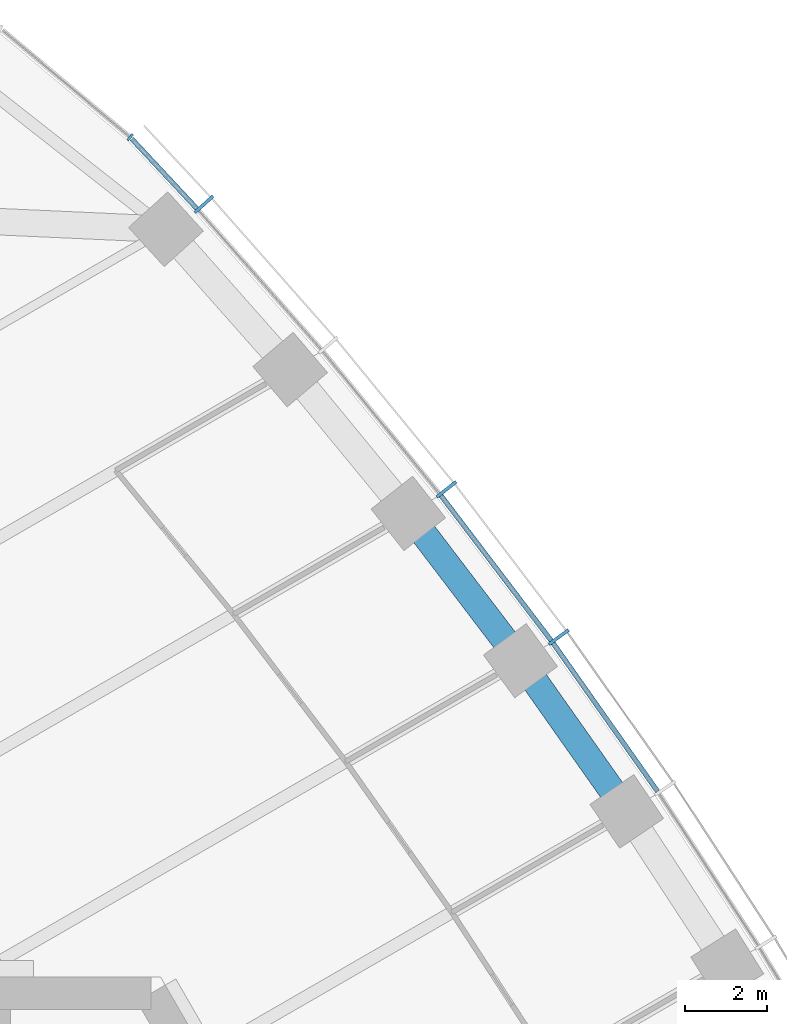
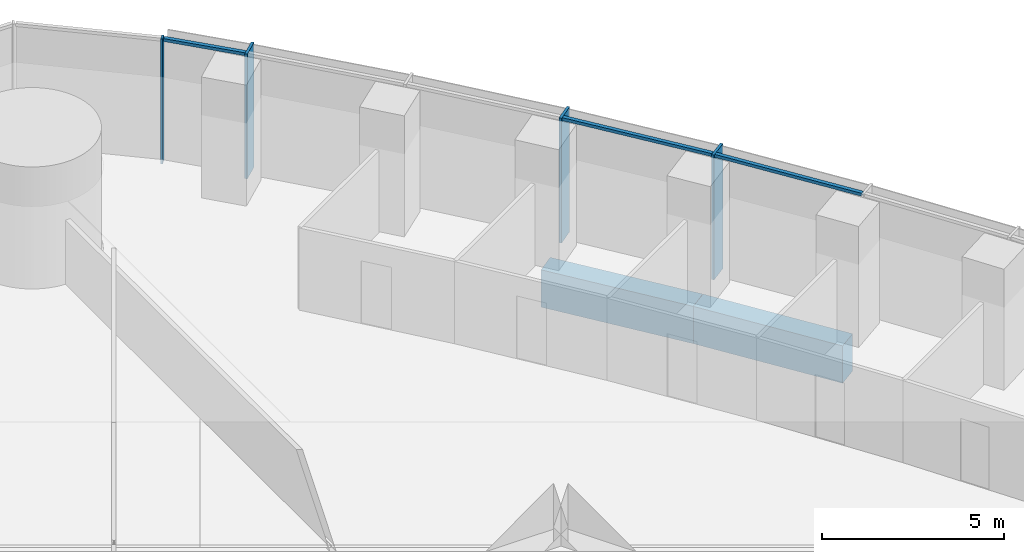
# One storey, part 7 of 19: 7 members, 2 beams, 2 elements without a shape of their own.
"""IFC4 building model written with IfcOpenShell, lengths in metres."""

from ifc_helpers import new_model, si_unit, direction, frame, origin, origin_2d, place, context, subcontext, project, spatial, rectangle, extrude, material, material_profile, profile_set, type_object, element, aggregate, save


model = new_model("IFC4")

# Units and contexts
model_context = context("Model", 3, precision=1e-05, world=origin(), true_north=direction((0.0, 1.0)))
body_context = subcontext(model_context, "Body", "Model", "MODEL_VIEW")
ifc_project = project(units=[si_unit("LENGTHUNIT", "METRE"), si_unit("AREAUNIT", "SQUARE_METRE"), si_unit("VOLUMEUNIT", "CUBIC_METRE"), si_unit("PLANEANGLEUNIT", "RADIAN"), si_unit("MASSUNIT", "GRAM", prefix="KILO")], contexts=[model_context])

# Site, building, storey
site_placement = place(None, origin())
site = spatial("IfcSite", under=ifc_project, at=site_placement, CompositionType="ELEMENT")
building_placement = place(site_placement, origin())
building = spatial("IfcBuilding", under=site, at=building_placement, Name="Trefoil Bronze Tower", CompositionType="ELEMENT")
storey_placement = place(building_placement, frame((0.0, 0.0, 136.699951171875)))
storey = spatial("IfcBuildingStorey", under=building, at=storey_placement, Name="L31", CompositionType="ELEMENT", Elevation=136.699951171875)

# Curtain wall, members
ifc_material_1 = material(Name="Tinted solar-control glass", Category="glass")
curtain_wall_type_1 = type_object("IfcCurtainWallType", Name="Bronze office curtain wall", PredefinedType="USERDEFINED", material=ifc_material_1)
curtain_wall_1_placement = place(storey_placement, origin())
curtain_wall_1 = element("IfcCurtainWall", 1, at=curtain_wall_1_placement, inside=storey, type_object=curtain_wall_type_1, Name="CW-A L31 F2", ObjectType="CURTAIN WALL", PredefinedType="USERDEFINED")
ifc_material_2 = material(Name="Bronze-finish aluminium", Category="aluminium")
ifc_material_profile_1 = material_profile(ifc_material_2, rectangle(XDim=0.60009765625, YDim=0.080078125, at=origin_2d()), Name="CW-A mullion")
ifc_profile_set_1 = profile_set([ifc_material_profile_1], Name="Bronze-finish aluminium")
member_type_1 = type_object("IfcMemberType", Name="Bronze office curtain wall mullion", PredefinedType="MULLION", material=ifc_profile_set_1)
member_1_placement = place(storey_placement, frame((15.764404296875, 24.7275390625, 0.0), z_axis=(0.0, 0.0, 1.0), x_axis=(-0.806874522901, -0.590722865897, 0.0)))
member_1 = element("IfcMember", 2, at=member_1_placement, type_object=member_type_1, Name="CW-A L31 F2 mullion 11", PredefinedType="MULLION", context=body_context, shape_type="SweptSolid", body=[
    extrude(rectangle(XDim=0.60009765625, YDim=0.080078125, at=origin_2d()), origin(), (0.0, 0.0, 1.0), 4.179931640625),
])
member_2_placement = place(storey_placement, frame((13.01220703125, 28.34716796875, 0.0), z_axis=(0.0, 0.0, 1.0), x_axis=(-0.78487913905, -0.619648882098, 0.0)))
member_2 = element("IfcMember", 3, at=member_2_placement, type_object=member_type_1, Name="CW-A L31 F2 mullion 12", PredefinedType="MULLION", context=body_context, shape_type="SweptSolid", body=[
    extrude(rectangle(XDim=0.60009765625, YDim=0.080078125, at=origin_2d()), origin(), (0.0, 0.0, 1.0), 4.179931640625),
])
member_3_placement = place(storey_placement, frame((7.070068359375, 35.332275390625, 0.0), z_axis=(0.0, 0.0, 1.0), x_axis=(-0.740360700327, -0.672209813534, 0.0)))
member_3 = element("IfcMember", 4, at=member_3_placement, type_object=member_type_1, Name="CW-A L31 F2 mullion 14", PredefinedType="MULLION", context=body_context, shape_type="SweptSolid", body=[
    extrude(rectangle(XDim=0.60009765625, YDim=0.080078125, at=origin_2d()), origin(), (0.0, 0.0, 1.0), 4.179931640625),
])
ifc_material_3 = material(Name="Bronze-finish aluminium", Category="aluminium")
ifc_material_profile_2 = material_profile(ifc_material_3, rectangle(XDim=0.1201171875, YDim=0.10009765625, at=origin_2d()), Name="CW-A transom")
ifc_profile_set_2 = profile_set([ifc_material_profile_2], Name="Bronze-finish aluminium")
member_type_2 = type_object("IfcMemberType", Name="Bronze office curtain wall transom", PredefinedType="USERDEFINED", material=ifc_profile_set_2)
member_4_placement = place(storey_placement, frame((18.18359375, 20.947021484375, 4.130126953125), z_axis=(-0.576017858824, 0.817437108478, 0.0), x_axis=(-0.817437108478, -0.576017858824, 0.0)))
member_4 = element("IfcMember", 5, at=member_4_placement, type_object=member_type_2, Name="CW-A L31 F2 transom 10", ObjectType="TRANSOM", PredefinedType="USERDEFINED", context=body_context, shape_type="SweptSolid", body=[
    extrude(rectangle(XDim=0.1201171875, YDim=0.10009765625, at=origin_2d()), origin(), (0.0, 0.0, 1.0), 4.4384765625),
])
member_5_placement = place(storey_placement, frame((15.57763671875, 24.642578125, 4.130126953125), z_axis=(-0.605229114572, 0.796051329296, 0.0), x_axis=(-0.796051329296, -0.605229114572, 0.0)))
member_5 = element("IfcMember", 6, at=member_5_placement, type_object=member_type_2, Name="CW-A L31 F2 transom 11", ObjectType="TRANSOM", PredefinedType="USERDEFINED", context=body_context, shape_type="SweptSolid", body=[
    extrude(rectangle(XDim=0.1201171875, YDim=0.10009765625, at=origin_2d()), origin(), (0.0, 0.0, 1.0), 4.456298828125),
])
member_6_placement = place(storey_placement, frame((6.893798828125, 35.22802734375, 4.130126953125), z_axis=(-0.682489214428, 0.730895664366, 0.0), x_axis=(-0.730895664366, -0.682489214428, 0.0)))
member_6 = element("IfcMember", 7, at=member_6_placement, type_object=member_type_2, Name="CW-A L31 F2 transom 14", ObjectType="TRANSOM", PredefinedType="USERDEFINED", context=body_context, shape_type="SweptSolid", body=[
    extrude(rectangle(XDim=0.1201171875, YDim=0.10009765625, at=origin_2d()), origin(), (0.0, 0.0, 1.0), 2.340087890625),
])
aggregate(curtain_wall_1, [member_1, member_2, member_3, member_4, member_5, member_6])

# Curtain wall, member
ifc_material_4 = material(Name="Tinted solar-control glass", Category="glass")
curtain_wall_type_2 = type_object("IfcCurtainWallType", Name="Bronze rounded corner curtain wall", PredefinedType="USERDEFINED", material=ifc_material_4)
curtain_wall_2_placement = place(storey_placement, origin())
curtain_wall_2 = element("IfcCurtainWall", 8, at=curtain_wall_2_placement, inside=storey, type_object=curtain_wall_type_2, Name="CW-B L31 K2", ObjectType="CURTAIN WALL", PredefinedType="USERDEFINED")
ifc_material_5 = material(Name="Bronze-finish aluminium", Category="aluminium")
ifc_material_profile_3 = material_profile(ifc_material_5, rectangle(XDim=0.199951171875, YDim=0.06005859375, at=origin_2d()), Name="CW-B mullion")
ifc_profile_set_3 = profile_set([ifc_material_profile_3], Name="Bronze-finish aluminium")
member_type_3 = type_object("IfcMemberType", Name="Bronze rounded corner curtain wall mullion", PredefinedType="MULLION", material=ifc_profile_set_3)
member_7_placement = place(storey_placement, frame((5.260498046875, 36.975830078125, 0.0), z_axis=(0.0, 0.0, 1.0), x_axis=(-0.642787609687, -0.766044443119, 0.0)))
member_7 = element("IfcMember", 9, at=member_7_placement, type_object=member_type_3, Name="CW-B L31 K2 mullion 1", PredefinedType="MULLION", context=body_context, shape_type="SweptSolid", body=[
    extrude(rectangle(XDim=0.199951171875, YDim=0.06005859375, at=origin_2d()), origin(), (0.0, 0.0, 1.0), 4.179931640625),
])
aggregate(curtain_wall_2, [member_7])

# Beams
ifc_material_6 = material(Name="Concrete B80", Category="concrete")
ifc_material_profile_4 = material_profile(ifc_material_6, rectangle(XDim=0.64990234375, YDim=1.25, at=origin_2d()), Name="RC 650x1250")
ifc_profile_set_4 = profile_set([ifc_material_profile_4], Name="Concrete B80")
beam_type = type_object("IfcBeamType", Name="Spandrel beam RC 650x1250", PredefinedType="SPANDREL", material=ifc_profile_set_4)
beam_1_placement = place(storey_placement, frame((17.43017578125, 20.45556640625, -0.824951171875), z_axis=(-0.576439228712, 0.81714002203, 0.0), x_axis=(-0.81714002203, -0.576439228712, 0.0)))
element("IfcBeam", 10, at=beam_1_placement, inside=storey, type_object=beam_type, Name="Spandrel F2.10 L31", PredefinedType="SPANDREL", context=body_context, shape_type="SweptSolid", body=[
    extrude(rectangle(XDim=0.64990234375, YDim=1.25, at=origin_2d()), origin(), (0.0, 0.0, 1.0), 4.5185546875),
])
beam_2_placement = place(storey_placement, frame((14.825439453125, 24.14794921875, -0.824951171875), z_axis=(-0.605898901788, 0.795541652468, 0.0), x_axis=(-0.795541652468, -0.605898901788, 0.0)))
element("IfcBeam", 11, at=beam_2_placement, inside=storey, type_object=beam_type, Name="Spandrel F2.11 L31", PredefinedType="SPANDREL", context=body_context, shape_type="SweptSolid", body=[
    extrude(rectangle(XDim=0.64990234375, YDim=1.25, at=origin_2d()), origin(), (0.0, 0.0, 1.0), 4.53662109375),
])

save(model, "model.ifc")
